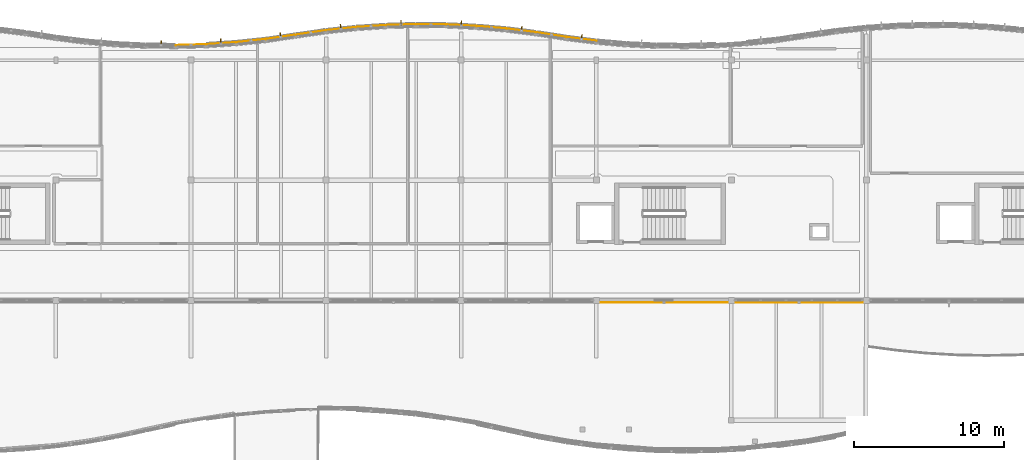
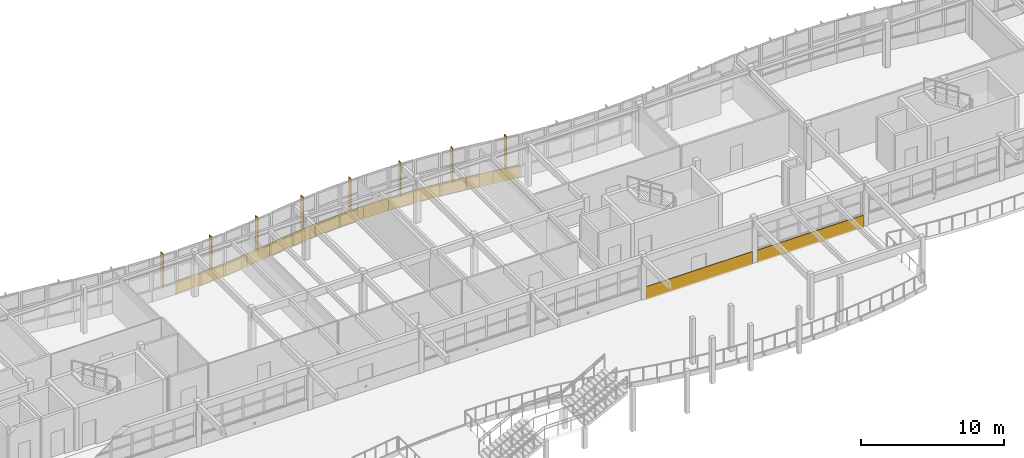
# One storey, part 61 of 63: 16 coverings, 8 shading devices.
"""IFC4 building model written with IfcOpenShell, lengths in metres."""

import ifcopenshell
import ifcopenshell.guid

model = None  # the IFC model being written
_history = None  # IfcOwnerHistory: only IFC2X3 demands one
_inside = {}  # id of a spatial element -> (the spatial element, [elements in it])
_under = {}  # id of a project, library or spatial element -> (it, [spatial elements below it])
_declared = {}  # id of a project -> (the project, [libraries it declares])
_typed = {}  # id of a type object -> (the type object, [elements of that type])
_made_of = {}  # id of a material, layer set ... -> (it, [elements and type objects made of it])


def new_model(schema):
    """Start an empty IFC model of exactly this schema.

    Asked for "IFC4X3", IfcOpenShell would pick the latest addendum, in which some entities
    have other attributes; the version numbers below select the first issue.
    IFC2X3 requires an IfcOwnerHistory on every rooted entity: one is made here for all.
    """
    global model, _history
    if schema == "IFC4X3":
        model = ifcopenshell.file(schema_version=(4, 3, 0, 0))
    else:
        model = ifcopenshell.file(schema=schema)
    _inside.clear()
    _under.clear()
    _declared.clear()
    _typed.clear()
    _made_of.clear()
    _history = None
    if model.schema == "IFC2X3":
        org = make("IfcOrganization", Name="unknown")
        user = make(
            "IfcPersonAndOrganization",
            ThePerson=make("IfcPerson", FamilyName="unknown"),
            TheOrganization=org,
        )
        app = make(
            "IfcApplication",
            ApplicationDeveloper=org,
            Version="unknown",
            ApplicationFullName="unknown",
            ApplicationIdentifier="unknown",
        )
        _history = make(
            "IfcOwnerHistory",
            OwningUser=user,
            OwningApplication=app,
            ChangeAction="ADDED",
            CreationDate=0,
        )
    return model


def make(cls, **values):
    """One entity of the class cls with the attributes given. An attribute that is None is left unset."""
    return model.create_entity(
        cls, **{name: value for name, value in values.items() if value is not None}
    )


def rooted(cls, **values):
    """An entity with a GlobalId (a new one), such as an element, a storey or a relation."""
    return make(cls, GlobalId=ifcopenshell.guid.new(), OwnerHistory=_history, **values)


def si_unit(unit_type, name, prefix=None):
    """IfcSIUnit, for example si_unit("LENGTHUNIT", "METRE", prefix="MILLI")."""
    return make("IfcSIUnit", UnitType=unit_type, Prefix=prefix, Name=name)


def assignment(units):
    """IfcUnitAssignment: the units of a project."""
    return None if units is None else make("IfcUnitAssignment", Units=units)


def point(xyz):
    """IfcCartesianPoint."""
    return None if xyz is None else make("IfcCartesianPoint", Coordinates=xyz)


def direction(xyz):
    """IfcDirection."""
    return None if xyz is None else make("IfcDirection", DirectionRatios=xyz)


def frame(location, z_axis=None, x_axis=None):
    """IfcAxis2Placement3D, a coordinate frame: its origin and axes. An axis left out is left unset."""
    return make(
        "IfcAxis2Placement3D",
        Location=point(location),
        Axis=direction(z_axis),
        RefDirection=direction(x_axis),
    )


def frame_2d(location, x_axis=None):
    """IfcAxis2Placement2D, a coordinate frame in the plane: its origin and x axis."""
    return make(
        "IfcAxis2Placement2D", Location=point(location), RefDirection=direction(x_axis)
    )


def origin():
    """The frame at (0, 0, 0) with its axes left unset."""
    return frame((0.0, 0.0, 0.0))


def origin_2d():
    """The frame at (0, 0) in the plane with its x axis left unset."""
    return frame_2d((0.0, 0.0))


def place(relative_to, where):
    """IfcLocalPlacement: puts the frame where relative to a parent placement (None: the world)."""
    return make(
        "IfcLocalPlacement", PlacementRelTo=relative_to, RelativePlacement=where
    )


def context(
    kind, dimensions, precision=None, world=None, true_north=None, identifier=None
):
    """IfcGeometricRepresentationContext, for example the 3D "Model" context."""
    return make(
        "IfcGeometricRepresentationContext",
        ContextIdentifier=identifier,
        ContextType=kind,
        CoordinateSpaceDimension=dimensions,
        Precision=precision,
        WorldCoordinateSystem=world,
        TrueNorth=true_north,
    )


def subcontext(parent, identifier, kind, view, scale=None):
    """IfcGeometricRepresentationSubContext, for example "Body" below "Model"."""
    return make(
        "IfcGeometricRepresentationSubContext",
        ContextIdentifier=identifier,
        ContextType=kind,
        ParentContext=parent,
        TargetScale=scale,
        TargetView=view,
    )


def project(units=None, contexts=None):
    """IfcProject with its units and contexts."""
    return rooted(
        "IfcProject",
        Name="project",
        RepresentationContexts=contexts,
        UnitsInContext=assignment(units),
    )


def spatial(cls, under=None, at=None, **own):
    """A site, building, storey or space (cls), placed at a placement, below another one or the project."""
    s = rooted(cls, ObjectPlacement=at, **own)
    if under is not None:
        _under.setdefault(under.id(), (under, []))[1].append(s)
    return s


def polyline(points):
    """IfcPolyline through the points."""
    return make("IfcPolyline", Points=[point(p) for p in points])


def profile(cls, at=None, kind="AREA", **sizes):
    """A parametric profile (cls). Its sizes go by their IFC names, for example OverallWidth=200.0."""
    return make(cls, ProfileType=kind, Position=at, **sizes)


def rectangle(**sizes):
    """IfcRectangleProfileDef."""
    return profile("IfcRectangleProfileDef", **sizes)


def outline(outer, holes=None, kind="AREA"):
    """IfcArbitraryClosedProfileDef: a profile drawn as a closed curve; with holes, ...WithVoids."""
    if holes is None:
        return make("IfcArbitraryClosedProfileDef", ProfileType=kind, OuterCurve=outer)
    return make(
        "IfcArbitraryProfileDefWithVoids",
        ProfileType=kind,
        OuterCurve=outer,
        InnerCurves=holes,
    )


def extrude(swept, where, along, depth):
    """IfcExtrudedAreaSolid: the profile swept, set in the frame where, extruded along a direction by depth."""
    return make(
        "IfcExtrudedAreaSolid",
        SweptArea=swept,
        Position=where,
        ExtrudedDirection=direction(along),
        Depth=depth,
    )


def shape(context_of_items, identifier, shape_type, items):
    """IfcShapeRepresentation: the items that make up one representation, for example the "Body"."""
    return make(
        "IfcShapeRepresentation",
        ContextOfItems=context_of_items,
        RepresentationIdentifier=identifier,
        RepresentationType=shape_type,
        Items=items,
    )


def material(Name=None, Category=None):
    """IfcMaterial."""
    return make("IfcMaterial", Name=Name, Category=Category)


def layer(
    of_material, thickness, ventilated=None, Name=None, Category=None, Priority=None
):
    """IfcMaterialLayer: one layer of a wall or slab, of a material (None: an air gap)."""
    return make(
        "IfcMaterialLayer",
        Material=of_material,
        LayerThickness=thickness,
        IsVentilated=ventilated,
        Name=Name,
        Category=Category,
        Priority=Priority,
    )


def layer_set(layers, Name=None):
    """IfcMaterialLayerSet."""
    return make("IfcMaterialLayerSet", MaterialLayers=layers, LayerSetName=Name)


def made_of(thing, what):
    """Note that an element or type object is made of a material, layer set ...; save() writes the relation."""
    if what is not None:
        _made_of.setdefault(what.id(), (what, []))[1].append(thing)
    return thing


def type_object(cls, material=None, **own):
    """A type object (cls), such as IfcWallType, which elements share."""
    return made_of(rooted(cls, **own), material)


def element(
    cls,
    number,
    at=None,
    inside=None,
    cuts=None,
    type_object=None,
    material=None,
    context=None,
    identifier="Body",
    shape_type=None,
    held_by="IfcProductDefinitionShape",
    body=None,
    shapes=None,
    **own,
):
    """One element of the class cls, such as IfcWall. Its Tag is "e" and its number.

    at: its placement. inside: the storey or other place that contains it. cuts: it is an
    opening in that element (IfcRelVoidsElement). A single representation is given by context,
    identifier, shape_type and body (its items); several are given by shapes. held_by: the class
    of the entity that holds the representations. save() writes the other relations.
    """
    e = rooted(cls, Tag="e%d" % number, ObjectPlacement=at, **own)
    if body is not None:
        shapes = [shape(context, identifier, shape_type, body)]
    if shapes is not None:
        e.Representation = make(held_by, Representations=shapes)
    if inside is not None:
        _inside.setdefault(inside.id(), (inside, []))[1].append(e)
    if cuts is not None:
        rooted(
            "IfcRelVoidsElement", RelatingBuildingElement=cuts, RelatedOpeningElement=e
        )
    if type_object is not None:
        _typed.setdefault(type_object.id(), (type_object, []))[1].append(e)
    return made_of(e, material)


def aggregate(whole, parts):
    """IfcRelAggregates: a whole, such as a stair, and the parts it consists of."""
    return rooted("IfcRelAggregates", RelatingObject=whole, RelatedObjects=parts)


def save(model, path):
    """Write the relations noted so far, then the file.

    IfcRelAggregates (storeys below a building ...), IfcRelContainedInSpatialStructure (elements
    in a storey), IfcRelDefinesByType, IfcRelAssociatesMaterial and IfcRelDeclares: one each for
    every whole, place, type object, material and project.
    """
    for whole, parts in _under.values():
        aggregate(whole, parts)
    for where, things in _inside.values():
        rooted(
            "IfcRelContainedInSpatialStructure",
            RelatedElements=things,
            RelatingStructure=where,
        )
    for kind, things in _typed.values():
        rooted("IfcRelDefinesByType", RelatedObjects=things, RelatingType=kind)
    for what, things in _made_of.values():
        rooted("IfcRelAssociatesMaterial", RelatedObjects=things, RelatingMaterial=what)
    for by, libraries in _declared.values():
        rooted("IfcRelDeclares", RelatingContext=by, RelatedDefinitions=libraries)
    model.write(path)


model = new_model("IFC4")

# Units and contexts
model_context = context("Model", 3, precision=1e-05, world=origin(), true_north=direction((0.0, 1.0)))
body_context = subcontext(model_context, "Body", "Model", "MODEL_VIEW")
ifc_project = project(units=[si_unit("LENGTHUNIT", "METRE"), si_unit("AREAUNIT", "SQUARE_METRE"), si_unit("VOLUMEUNIT", "CUBIC_METRE"), si_unit("PLANEANGLEUNIT", "RADIAN"), si_unit("MASSUNIT", "GRAM", prefix="KILO")], contexts=[model_context])

# Site, building, storey
site_placement = place(None, origin())
site = spatial("IfcSite", under=ifc_project, at=site_placement, CompositionType="ELEMENT")
building_placement = place(site_placement, origin())
building = spatial("IfcBuilding", under=site, at=building_placement, Name="Tonlespit Floodbar School", CompositionType="ELEMENT")
storey_placement = place(building_placement, frame((0.0, 0.0, 8.39990234375)))
storey = spatial("IfcBuildingStorey", under=building, at=storey_placement, Name="L02", CompositionType="ELEMENT", Elevation=8.39990234375)

# Coverings
ifc_material_1 = material(Name="White Architectural Aluminium", Category="aluminium")
ifc_layer_1 = layer(ifc_material_1, 0.050048828125)
ifc_layer_set_1 = layer_set([ifc_layer_1], Name="White Architectural Aluminium")
covering_type = type_object("IfcCoveringType", Name="Cladding_WhiteBand_50", PredefinedType="CLADDING", material=ifc_layer_set_1)
covering_1_placement = place(storey_placement, frame((0.0, 0.0, -0.119873046875)))
element("IfcCovering", 1, at=covering_1_placement, inside=storey, type_object=covering_type, Name="L02 curved white spandrel cladding 0144", PredefinedType="CLADDING", context=body_context, shape_type="SweptSolid", body=[
    extrude(outline(polyline([(69.9970703125, 120.952880859375), (71.9970703125, 121.0107421875), (71.99560546875, 121.060791015625), (69.99560546875, 121.0029296875), (69.9970703125, 120.952880859375)])), origin(), (0.0, 0.0, 1.0), 1.070068359375),
])
covering_2_placement = place(storey_placement, frame((0.0, 0.0, -0.119873046875)))
element("IfcCovering", 2, at=covering_2_placement, inside=storey, type_object=covering_type, Name="L02 curved white spandrel cladding 0145", PredefinedType="CLADDING", context=body_context, shape_type="SweptSolid", body=[
    extrude(outline(polyline([(71.993408203125, 121.010498046875), (73.993408203125, 121.1455078125), (73.989990234375, 121.1953125), (71.989990234375, 121.060302734375), (71.993408203125, 121.010498046875)])), origin(), (0.0, 0.0, 1.0), 1.070068359375),
])
covering_3_placement = place(storey_placement, frame((0.0, 0.0, -0.119873046875)))
element("IfcCovering", 3, at=covering_3_placement, inside=storey, type_object=covering_type, Name="L02 curved white spandrel cladding 0146", PredefinedType="CLADDING", context=body_context, shape_type="SweptSolid", body=[
    extrude(outline(polyline([(73.989501953125, 121.14501953125), (75.989501953125, 121.35791015625), (75.984130859375, 121.407470703125), (73.984130859375, 121.19482421875), (73.989501953125, 121.14501953125)])), origin(), (0.0, 0.0, 1.0), 1.070068359375),
])
covering_4_placement = place(storey_placement, frame((0.0, 0.0, -0.119873046875)))
element("IfcCovering", 4, at=covering_4_placement, inside=storey, type_object=covering_type, Name="L02 curved white spandrel cladding 0147", PredefinedType="CLADDING", context=body_context, shape_type="SweptSolid", body=[
    extrude(outline(polyline([(75.985595703125, 121.357421875), (77.985595703125, 121.64892578125), (77.978515625, 121.698486328125), (75.978515625, 121.406982421875), (75.985595703125, 121.357421875)])), origin(), (0.0, 0.0, 1.0), 1.070068359375),
])
covering_5_placement = place(storey_placement, frame((0.0, 0.0, -0.119873046875)))
element("IfcCovering", 5, at=covering_5_placement, inside=storey, type_object=covering_type, Name="L02 curved white spandrel cladding 0148", PredefinedType="CLADDING", context=body_context, shape_type="SweptSolid", body=[
    extrude(outline(polyline([(77.985595703125, 121.64892578125), (79.985595703125, 121.940673828125), (79.978515625, 121.989990234375), (77.978515625, 121.698486328125), (77.985595703125, 121.64892578125)])), origin(), (0.0, 0.0, 1.0), 1.070068359375),
])
covering_6_placement = place(storey_placement, frame((0.0, 0.0, -0.119873046875)))
element("IfcCovering", 6, at=covering_6_placement, inside=storey, type_object=covering_type, Name="L02 curved white spandrel cladding 0149", PredefinedType="CLADDING", context=body_context, shape_type="SweptSolid", body=[
    extrude(outline(polyline([(79.989501953125, 121.94091796875), (81.989501953125, 122.15380859375), (81.984130859375, 122.203369140625), (79.984130859375, 121.99072265625), (79.989501953125, 121.94091796875)])), origin(), (0.0, 0.0, 1.0), 1.070068359375),
])
covering_7_placement = place(storey_placement, frame((0.0, 0.0, -0.119873046875)))
element("IfcCovering", 7, at=covering_7_placement, inside=storey, type_object=covering_type, Name="L02 curved white spandrel cladding 0150", PredefinedType="CLADDING", context=body_context, shape_type="SweptSolid", body=[
    extrude(outline(polyline([(81.993408203125, 122.154052734375), (83.993408203125, 122.2890625), (83.989990234375, 122.339111328125), (81.989990234375, 122.2041015625), (81.993408203125, 122.154052734375)])), origin(), (0.0, 0.0, 1.0), 1.070068359375),
])
covering_8_placement = place(storey_placement, frame((0.0, 0.0, -0.119873046875)))
element("IfcCovering", 8, at=covering_8_placement, inside=storey, type_object=covering_type, Name="L02 curved white spandrel cladding 0151", PredefinedType="CLADDING", context=body_context, shape_type="SweptSolid", body=[
    extrude(outline(polyline([(83.9970703125, 122.289306640625), (85.9970703125, 122.346923828125), (85.99560546875, 122.39697265625), (83.99560546875, 122.33935546875), (83.9970703125, 122.289306640625)])), origin(), (0.0, 0.0, 1.0), 1.070068359375),
])
covering_9_placement = place(storey_placement, frame((0.0, 0.0, -0.119873046875)))
element("IfcCovering", 9, at=covering_9_placement, inside=storey, type_object=covering_type, Name="L02 curved white spandrel cladding 0152", PredefinedType="CLADDING", context=body_context, shape_type="SweptSolid", body=[
    extrude(outline(polyline([(86.0009765625, 122.346923828125), (88.0009765625, 122.327880859375), (88.00146484375, 122.377685546875), (86.00146484375, 122.39697265625), (86.0009765625, 122.346923828125)])), origin(), (0.0, 0.0, 1.0), 1.070068359375),
])
covering_10_placement = place(storey_placement, frame((0.0, 0.0, -0.119873046875)))
element("IfcCovering", 10, at=covering_10_placement, inside=storey, type_object=covering_type, Name="L02 curved white spandrel cladding 0153", PredefinedType="CLADDING", context=body_context, shape_type="SweptSolid", body=[
    extrude(outline(polyline([(88.0048828125, 122.32763671875), (90.0048828125, 122.2314453125), (90.007080078125, 122.28125), (88.007080078125, 122.377685546875), (88.0048828125, 122.32763671875)])), origin(), (0.0, 0.0, 1.0), 1.070068359375),
])
covering_11_placement = place(storey_placement, frame((0.0, 0.0, -0.119873046875)))
element("IfcCovering", 11, at=covering_11_placement, inside=storey, type_object=covering_type, Name="L02 curved white spandrel cladding 0154", PredefinedType="CLADDING", context=body_context, shape_type="SweptSolid", body=[
    extrude(outline(polyline([(90.0087890625, 122.231201171875), (92.0087890625, 122.057373046875), (92.012939453125, 122.107177734375), (90.012939453125, 122.281005859375), (90.0087890625, 122.231201171875)])), origin(), (0.0, 0.0, 1.0), 1.070068359375),
])
covering_12_placement = place(storey_placement, frame((0.0, 0.0, -0.119873046875)))
element("IfcCovering", 12, at=covering_12_placement, inside=storey, type_object=covering_type, Name="L02 curved white spandrel cladding 0155", PredefinedType="CLADDING", context=body_context, shape_type="SweptSolid", body=[
    extrude(outline(polyline([(92.012451171875, 122.056884765625), (94.012451171875, 121.804931640625), (94.018798828125, 121.8544921875), (92.018798828125, 122.1064453125), (92.012451171875, 122.056884765625)])), origin(), (0.0, 0.0, 1.0), 1.070068359375),
])
covering_13_placement = place(storey_placement, frame((0.0, 0.0, -0.119873046875)))
element("IfcCovering", 13, at=covering_13_placement, inside=storey, type_object=covering_type, Name="L02 curved white spandrel cladding 0156", PredefinedType="CLADDING", context=body_context, shape_type="SweptSolid", body=[
    extrude(outline(polyline([(94.015380859375, 121.804443359375), (96.015380859375, 121.4931640625), (96.023193359375, 121.54248046875), (94.023193359375, 121.85400390625), (94.015380859375, 121.804443359375)])), origin(), (0.0, 0.0, 1.0), 1.070068359375),
])
covering_14_placement = place(storey_placement, frame((0.0, 0.0, -0.119873046875)))
element("IfcCovering", 14, at=covering_14_placement, inside=storey, type_object=covering_type, Name="L02 curved white spandrel cladding 0157", PredefinedType="CLADDING", context=body_context, shape_type="SweptSolid", body=[
    extrude(outline(polyline([(96.012451171875, 121.493408203125), (98.012451171875, 121.241455078125), (98.018798828125, 121.291015625), (96.018798828125, 121.543212890625), (96.012451171875, 121.493408203125)])), origin(), (0.0, 0.0, 1.0), 1.070068359375),
])
covering_15_placement = place(storey_placement, frame((0.0, 0.0, -0.119873046875)))
element("IfcCovering", 15, at=covering_15_placement, inside=storey, type_object=covering_type, Name="L02 curved white spandrel cladding 0167", PredefinedType="CLADDING", context=body_context, shape_type="SweptSolid", body=[
    extrude(outline(polyline([(115.800048828125, 103.89990234375), (107.199951171875, 103.89990234375), (107.199951171875, 103.85009765625), (115.800048828125, 103.85009765625), (115.800048828125, 103.89990234375)])), origin(), (0.0, 0.0, 1.0), 1.070068359375),
])
covering_16_placement = place(storey_placement, frame((0.0, 0.0, -0.119873046875)))
element("IfcCovering", 16, at=covering_16_placement, inside=storey, type_object=covering_type, Name="L02 curved white spandrel cladding 0168", PredefinedType="CLADDING", context=body_context, shape_type="SweptSolid", body=[
    extrude(outline(polyline([(106.800048828125, 103.8798828125), (98.199951171875, 103.8798828125), (98.199951171875, 103.830078125), (106.800048828125, 103.830078125), (106.800048828125, 103.8798828125)])), origin(), (0.0, 0.0, 1.0), 1.119873046875),
])

# Shading devices
ifc_material_2 = material(Name="Terracotta Anodised Aluminium", Category="masonry")
ifc_layer_2 = layer(ifc_material_2, 0.06005859375)
ifc_layer_set_2 = layer_set([ifc_layer_2], Name="Terracotta Anodised Aluminium")
shading_device_type = type_object("IfcShadingDeviceType", Name="Shading_SolarFin_350", PredefinedType="USERDEFINED", material=ifc_layer_set_2)
for number, where, z_axis, x_axis, name in (
    (17, (69.00244140625, 121.12255859375, 0.800048828125), (0.0, 0.0, 1.0), (0.999953926969, -0.009599163462, 0.0), "L02 vertical solar fin 043"),
    (18, (72.982421875, 121.237548828125, 0.800048828125), (0.0, 0.0, 1.0), (0.997729639049, 0.067346621018, 0.0), "L02 vertical solar fin 044"),
    (19, (76.96240234375, 121.66162109375, 0.800048828125), (0.0, 0.0, 1.0), (0.989537627347, 0.144275029245, 0.0), "L02 vertical solar fin 045"),
    (20, (80.972412109375, 122.20654296875, 0.800048828125), (0.0, 0.0, 1.0), (0.99439234017, 0.105753835922, 0.0), "L02 vertical solar fin 046"),
    (21, (84.992431640625, 122.47802734375, 0.800048828125), (0.0, 0.0, 1.0), (0.999584110869, 0.02883756748, 0.0), "L02 vertical solar fin 047"),
    (22, (89.012451171875, 122.439208984375, 0.800048828125), (0.0, 0.0, 1.0), (0.998842769234, -0.048094930587, 0.0), "L02 vertical solar fin 048"),
    (23, (93.032470703125, 122.089599609375, 0.800048828125), (0.0, 0.0, 1.0), (0.99215533612, -0.125011155539, 0.0), "L02 vertical solar fin 049"),
    (24, (97.032470703125, 121.5263671875, 0.800048828125), (0.0, 0.0, 1.0), (0.99215533612, -0.125011155539, 0.0), "L02 vertical solar fin 050"),
):
    element("IfcShadingDevice", number, at=place(storey_placement, frame(where, z_axis=z_axis, x_axis=x_axis)), inside=storey, type_object=shading_device_type, Name=name, ObjectType="SOLAR FIN", PredefinedType="USERDEFINED", context=body_context, shape_type="SweptSolid", body=[
        extrude(rectangle(XDim=0.06005859375, YDim=0.35009765625, at=origin_2d()), origin(), (0.0, 0.0, 1.0), 2.85009765625),
    ])

save(model, "model.ifc")
